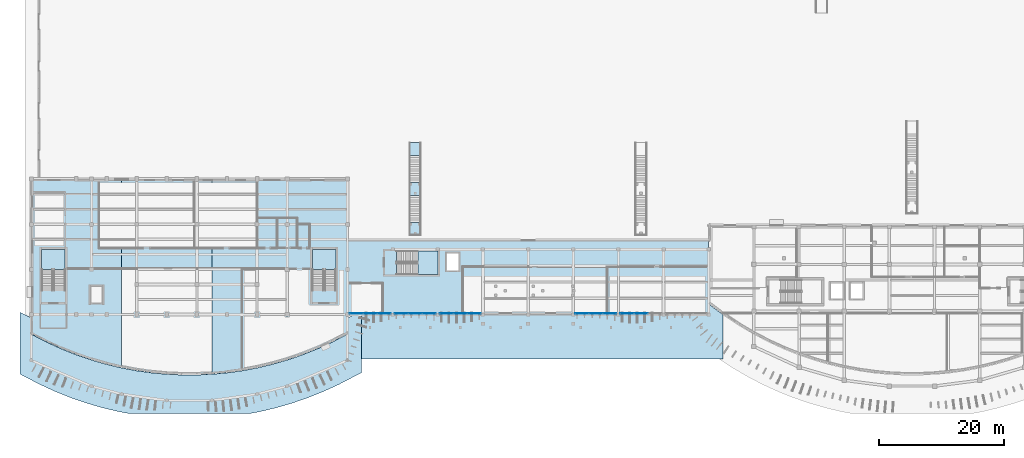
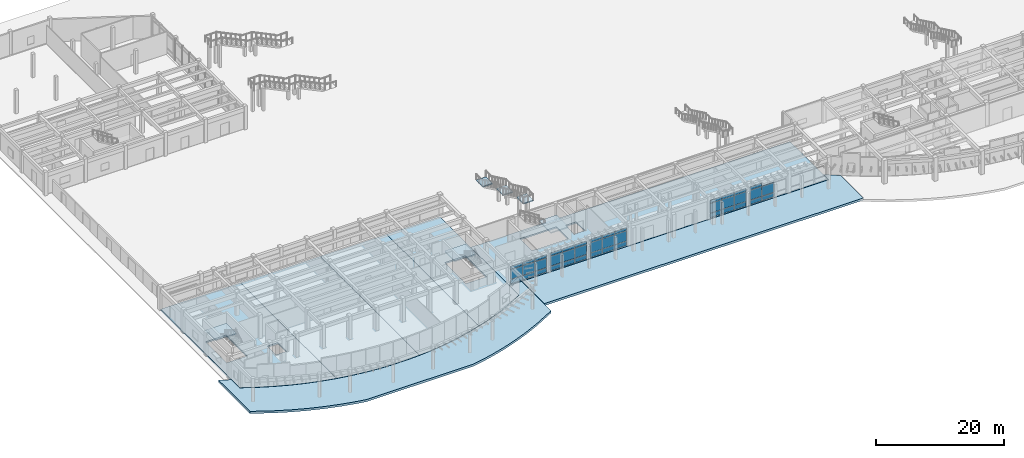
# One storey, part 22 of 58: 41 plates, 13 slabs, 9 elements without a shape of their own.
"""IFC4 building model written with IfcOpenShell, lengths in metres."""

from ifc_helpers import new_model, si_unit, direction, frame, origin, origin_2d, place, context, subcontext, project, spatial, polyline, rectangle, outline, extrude, material, layer, layer_set, type_object, element, aggregate, save


model = new_model("IFC4")

# Units and contexts
model_context = context("Model", 3, precision=1e-05, world=origin(), true_north=direction((0.0, 1.0)))
body_context = subcontext(model_context, "Body", "Model", "MODEL_VIEW")
ifc_project = project(units=[si_unit("LENGTHUNIT", "METRE"), si_unit("AREAUNIT", "SQUARE_METRE"), si_unit("VOLUMEUNIT", "CUBIC_METRE"), si_unit("PLANEANGLEUNIT", "RADIAN"), si_unit("MASSUNIT", "GRAM", prefix="KILO")], contexts=[model_context])

# Site, building, storey
site_placement = place(None, origin())
site = spatial("IfcSite", under=ifc_project, at=site_placement, CompositionType="ELEMENT")
building_placement = place(site_placement, origin())
building = spatial("IfcBuilding", under=site, at=building_placement, Name="Brisavento Harbour Community Centre", CompositionType="ELEMENT")
storey_placement = place(building_placement, origin())
storey = spatial("IfcBuildingStorey", under=building, at=storey_placement, Name="L00", CompositionType="ELEMENT", Elevation=0.0)

# Curtain wall, plates
ifc_material_1 = material(Name="Marine-anodised aluminium AW-6063-T6", Category="aluminium")
ifc_layer_1 = layer(ifc_material_1, 0.179931640625, Name="Marine-anodised aluminium AW-6063-T6")
ifc_layer_set_1 = layer_set([ifc_layer_1], Name="Marine-anodised aluminium AW-6063-T6")
curtain_wall_type_1 = type_object("IfcCurtainWallType", Name="CW-SYS-06", PredefinedType="USERDEFINED", material=ifc_layer_set_1)
curtain_wall_1_placement = place(storey_placement, origin())
curtain_wall_1 = element("IfcCurtainWall", 1, at=curtain_wall_1_placement, inside=storey, type_object=curtain_wall_type_1, Name="L00 V2 unitised curtain wall 006", ObjectType="UNITISED CURTAIN WALL", PredefinedType="USERDEFINED")
ifc_material_2 = material(Name="Solar-control laminated low-E glass", Category="glass")
ifc_layer_2 = layer(ifc_material_2, 0.02392578125, Name="Solar-control laminated low-E glass")
ifc_layer_set_2 = layer_set([ifc_layer_2], Name="Solar-control laminated low-E glass")
plate_type_1 = type_object("IfcPlateType", Name="CWP-GLZ-1", PredefinedType="CURTAIN_PANEL", material=ifc_layer_set_2)
plate_1_placement = place(storey_placement, frame((56.217529296875, 14.580078125, 0.070068359375), z_axis=(0.0, 0.0, 1.0), x_axis=(-1.0, 0.0, 0.0)))
plate_1 = element("IfcPlate", 2, at=plate_1_placement, type_object=plate_type_1, Name="CW-06 panel 1.1", PredefinedType="CURTAIN_PANEL", context=body_context, shape_type="SweptSolid", body=[
    extrude(rectangle(XDim=2.10498046875, YDim=0.02392578125, at=origin_2d()), origin(), (0.0, 0.0, 1.0), 0.794921875),
])
plate_2_placement = place(storey_placement, frame((56.217529296875, 14.580078125, 0.93505859375), z_axis=(0.0, 0.0, 1.0), x_axis=(-1.0, 0.0, 0.0)))
plate_2 = element("IfcPlate", 3, at=plate_2_placement, type_object=plate_type_1, Name="CW-06 panel 1.2", PredefinedType="CURTAIN_PANEL", context=body_context, shape_type="SweptSolid", body=[
    extrude(rectangle(XDim=2.10498046875, YDim=0.02392578125, at=origin_2d()), origin(), (0.0, 0.0, 1.0), 1.820068359375),
])
plate_3_placement = place(storey_placement, frame((56.217529296875, 14.580078125, 2.824951171875), z_axis=(0.0, 0.0, 1.0), x_axis=(-1.0, 0.0, 0.0)))
plate_3 = element("IfcPlate", 4, at=plate_3_placement, type_object=plate_type_1, Name="CW-06 panel 1.3", PredefinedType="CURTAIN_PANEL", context=body_context, shape_type="SweptSolid", body=[
    extrude(rectangle(XDim=2.10498046875, YDim=0.02392578125, at=origin_2d()), origin(), (0.0, 0.0, 1.0), 0.544921875),
])
plate_4_placement = place(storey_placement, frame((54.02490234375, 14.580078125, 0.070068359375), z_axis=(0.0, 0.0, 1.0), x_axis=(-1.0, 0.0, 0.0)))
plate_4 = element("IfcPlate", 5, at=plate_4_placement, type_object=plate_type_1, Name="CW-06 panel 2.1", PredefinedType="CURTAIN_PANEL", context=body_context, shape_type="SweptSolid", body=[
    extrude(rectangle(XDim=2.139892578125, YDim=0.02392578125, at=origin_2d()), origin(), (0.0, 0.0, 1.0), 0.794921875),
])
plate_5_placement = place(storey_placement, frame((54.02490234375, 14.580078125, 0.93505859375), z_axis=(0.0, 0.0, 1.0), x_axis=(-1.0, 0.0, 0.0)))
plate_5 = element("IfcPlate", 6, at=plate_5_placement, type_object=plate_type_1, Name="CW-06 panel 2.2", PredefinedType="CURTAIN_PANEL", context=body_context, shape_type="SweptSolid", body=[
    extrude(rectangle(XDim=2.139892578125, YDim=0.02392578125, at=origin_2d()), origin(), (0.0, 0.0, 1.0), 1.820068359375),
])
plate_6_placement = place(storey_placement, frame((54.02490234375, 14.580078125, 2.824951171875), z_axis=(0.0, 0.0, 1.0), x_axis=(-1.0, 0.0, 0.0)))
plate_6 = element("IfcPlate", 7, at=plate_6_placement, type_object=plate_type_1, Name="CW-06 panel 2.3", PredefinedType="CURTAIN_PANEL", context=body_context, shape_type="SweptSolid", body=[
    extrude(rectangle(XDim=2.139892578125, YDim=0.02392578125, at=origin_2d()), origin(), (0.0, 0.0, 1.0), 0.544921875),
])
plate_7_placement = place(storey_placement, frame((51.83251953125, 14.580078125, 0.070068359375), z_axis=(0.0, 0.0, 1.0), x_axis=(-1.0, 0.0, 0.0)))
plate_7 = element("IfcPlate", 8, at=plate_7_placement, type_object=plate_type_1, Name="CW-06 panel 3.1", PredefinedType="CURTAIN_PANEL", context=body_context, shape_type="SweptSolid", body=[
    extrude(rectangle(XDim=2.10498046875, YDim=0.02392578125, at=origin_2d()), origin(), (0.0, 0.0, 1.0), 0.794921875),
])
plate_8_placement = place(storey_placement, frame((51.83251953125, 14.580078125, 0.93505859375), z_axis=(0.0, 0.0, 1.0), x_axis=(-1.0, 0.0, 0.0)))
plate_8 = element("IfcPlate", 9, at=plate_8_placement, type_object=plate_type_1, Name="CW-06 panel 3.2", PredefinedType="CURTAIN_PANEL", context=body_context, shape_type="SweptSolid", body=[
    extrude(rectangle(XDim=2.10498046875, YDim=0.02392578125, at=origin_2d()), origin(), (0.0, 0.0, 1.0), 1.820068359375),
])
plate_9_placement = place(storey_placement, frame((51.83251953125, 14.580078125, 2.824951171875), z_axis=(0.0, 0.0, 1.0), x_axis=(-1.0, 0.0, 0.0)))
plate_9 = element("IfcPlate", 10, at=plate_9_placement, type_object=plate_type_1, Name="CW-06 panel 3.3", PredefinedType="CURTAIN_PANEL", context=body_context, shape_type="SweptSolid", body=[
    extrude(rectangle(XDim=2.10498046875, YDim=0.02392578125, at=origin_2d()), origin(), (0.0, 0.0, 1.0), 0.544921875),
])
aggregate(curtain_wall_1, [plate_1, plate_2, plate_3, plate_4, plate_5, plate_6, plate_7, plate_8, plate_9])

ifc_layer_3 = layer(ifc_material_1, 0.179931640625, Name="Marine-anodised aluminium AW-6063-T6")
ifc_layer_set_3 = layer_set([ifc_layer_3], Name="Marine-anodised aluminium AW-6063-T6")
curtain_wall_type_2 = type_object("IfcCurtainWallType", Name="CW-SYS-02", PredefinedType="USERDEFINED", material=ifc_layer_set_3)
curtain_wall_2_placement = place(storey_placement, origin())
curtain_wall_2 = element("IfcCurtainWall", 11, at=curtain_wall_2_placement, inside=storey, type_object=curtain_wall_type_2, Name="L00 V2 unitised curtain wall 002", ObjectType="UNITISED CURTAIN WALL", PredefinedType="USERDEFINED")
ifc_layer_4 = layer(ifc_material_2, 0.028076171875, Name="Solar-control laminated low-E glass")
ifc_layer_set_4 = layer_set([ifc_layer_4], Name="Solar-control laminated low-E glass")
plate_type_2 = type_object("IfcPlateType", Name="CWP-GLZ-2", PredefinedType="CURTAIN_PANEL", material=ifc_layer_set_4)
plate_10_placement = place(storey_placement, frame((97.199951171875, 14.580078125, 0.070068359375), z_axis=(0.0, 0.0, 1.0), x_axis=(-1.0, 0.0, 0.0)))
plate_10 = element("IfcPlate", 12, at=plate_10_placement, type_object=plate_type_2, Name="CW-02 panel 2.1", PredefinedType="CURTAIN_PANEL", context=body_context, shape_type="SweptSolid", body=[
    extrude(rectangle(XDim=2.15673828125, YDim=0.028076171875, at=origin_2d()), origin(), (0.0, 0.0, 1.0), 0.794921875),
])
plate_11_placement = place(storey_placement, frame((97.199951171875, 14.580078125, 0.93505859375), z_axis=(0.0, 0.0, 1.0), x_axis=(-1.0, 0.0, 0.0)))
plate_11 = element("IfcPlate", 13, at=plate_11_placement, type_object=plate_type_2, Name="CW-02 panel 2.2", PredefinedType="CURTAIN_PANEL", context=body_context, shape_type="SweptSolid", body=[
    extrude(rectangle(XDim=2.15673828125, YDim=0.028076171875, at=origin_2d()), origin(), (0.0, 0.0, 1.0), 1.8701171875),
])
plate_12_placement = place(storey_placement, frame((94.99072265625, 14.580078125, 0.070068359375), z_axis=(0.0, 0.0, 1.0), x_axis=(-1.0, 0.0, 0.0)))
plate_12 = element("IfcPlate", 14, at=plate_12_placement, type_object=plate_type_2, Name="CW-02 panel 3.1", PredefinedType="CURTAIN_PANEL", context=body_context, shape_type="SweptSolid", body=[
    extrude(rectangle(XDim=2.12158203125, YDim=0.028076171875, at=origin_2d()), origin(), (0.0, 0.0, 1.0), 0.794921875),
])
plate_13_placement = place(storey_placement, frame((94.99072265625, 14.580078125, 0.93505859375), z_axis=(0.0, 0.0, 1.0), x_axis=(-1.0, 0.0, 0.0)))
plate_13 = element("IfcPlate", 15, at=plate_13_placement, type_object=plate_type_2, Name="CW-02 panel 3.2", PredefinedType="CURTAIN_PANEL", context=body_context, shape_type="SweptSolid", body=[
    extrude(rectangle(XDim=2.12158203125, YDim=0.028076171875, at=origin_2d()), origin(), (0.0, 0.0, 1.0), 1.8701171875),
])
plate_14_placement = place(storey_placement, frame((94.99072265625, 14.580078125, 2.875), z_axis=(0.0, 0.0, 1.0), x_axis=(-1.0, 0.0, 0.0)))
plate_14 = element("IfcPlate", 16, at=plate_14_placement, type_object=plate_type_2, Name="CW-02 panel 3.3", PredefinedType="CURTAIN_PANEL", context=body_context, shape_type="SweptSolid", body=[
    extrude(rectangle(XDim=2.12158203125, YDim=0.028076171875, at=origin_2d()), origin(), (0.0, 0.0, 1.0), 0.544921875),
])
aggregate(curtain_wall_2, [plate_10, plate_11, plate_12, plate_13, plate_14])

ifc_layer_5 = layer(ifc_material_1, 0.179931640625, Name="Marine-anodised aluminium AW-6063-T6")
ifc_layer_set_5 = layer_set([ifc_layer_5], Name="Marine-anodised aluminium AW-6063-T6")
curtain_wall_type_3 = type_object("IfcCurtainWallType", Name="CW-SYS-03", PredefinedType="USERDEFINED", material=ifc_layer_set_5)
curtain_wall_3_placement = place(storey_placement, origin())
curtain_wall_3 = element("IfcCurtainWall", 17, at=curtain_wall_3_placement, inside=storey, type_object=curtain_wall_type_3, Name="L00 V2 unitised curtain wall 003", ObjectType="UNITISED CURTAIN WALL", PredefinedType="USERDEFINED")
ifc_layer_6 = layer(ifc_material_2, 0.031982421875, Name="Solar-control laminated low-E glass")
ifc_layer_set_6 = layer_set([ifc_layer_6], Name="Solar-control laminated low-E glass")
plate_type_3 = type_object("IfcPlateType", Name="CWP-GLZ-3", PredefinedType="CURTAIN_PANEL", material=ifc_layer_set_6)
plate_15_placement = place(storey_placement, frame((92.2080078125, 14.580078125, 0.074951171875), z_axis=(0.0, 0.0, 1.0), x_axis=(-1.0, 0.0, 0.0)))
plate_15 = element("IfcPlate", 18, at=plate_15_placement, type_object=plate_type_3, Name="CW-03 panel 1.1", PredefinedType="CURTAIN_PANEL", context=body_context, shape_type="SweptSolid", body=[
    extrude(rectangle(XDim=2.1142578125, YDim=0.031982421875, at=origin_2d()), origin(), (0.0, 0.0, 1.0), 0.78759765625),
])
plate_16_placement = place(storey_placement, frame((92.2080078125, 14.580078125, 0.9375), z_axis=(0.0, 0.0, 1.0), x_axis=(-1.0, 0.0, 0.0)))
plate_16 = element("IfcPlate", 19, at=plate_16_placement, type_object=plate_type_3, Name="CW-03 panel 1.2", PredefinedType="CURTAIN_PANEL", context=body_context, shape_type="SweptSolid", body=[
    extrude(rectangle(XDim=2.1142578125, YDim=0.031982421875, at=origin_2d()), origin(), (0.0, 0.0, 1.0), 1.81494140625),
])
plate_17_placement = place(storey_placement, frame((92.2080078125, 14.580078125, 2.827392578125), z_axis=(0.0, 0.0, 1.0), x_axis=(-1.0, 0.0, 0.0)))
plate_17 = element("IfcPlate", 20, at=plate_17_placement, type_object=plate_type_3, Name="CW-03 panel 1.3", PredefinedType="CURTAIN_PANEL", context=body_context, shape_type="SweptSolid", body=[
    extrude(rectangle(XDim=2.1142578125, YDim=0.031982421875, at=origin_2d()), origin(), (0.0, 0.0, 1.0), 0.53759765625),
])
plate_18_placement = place(storey_placement, frame((90.0, 14.580078125, 0.074951171875), z_axis=(0.0, 0.0, 1.0), x_axis=(-1.0, 0.0, 0.0)))
plate_18 = element("IfcPlate", 21, at=plate_18_placement, type_object=plate_type_3, Name="CW-03 panel 2.1", PredefinedType="CURTAIN_PANEL", context=body_context, shape_type="SweptSolid", body=[
    extrude(rectangle(XDim=2.151611328125, YDim=0.031982421875, at=origin_2d()), origin(), (0.0, 0.0, 1.0), 0.78759765625),
])
plate_19_placement = place(storey_placement, frame((90.0, 14.580078125, 0.9375), z_axis=(0.0, 0.0, 1.0), x_axis=(-1.0, 0.0, 0.0)))
plate_19 = element("IfcPlate", 22, at=plate_19_placement, type_object=plate_type_3, Name="CW-03 panel 2.2", PredefinedType="CURTAIN_PANEL", context=body_context, shape_type="SweptSolid", body=[
    extrude(rectangle(XDim=2.151611328125, YDim=0.031982421875, at=origin_2d()), origin(), (0.0, 0.0, 1.0), 1.81494140625),
])
plate_20_placement = place(storey_placement, frame((90.0, 14.580078125, 2.827392578125), z_axis=(0.0, 0.0, 1.0), x_axis=(-1.0, 0.0, 0.0)))
plate_20 = element("IfcPlate", 23, at=plate_20_placement, type_object=plate_type_3, Name="CW-03 panel 2.3", PredefinedType="CURTAIN_PANEL", context=body_context, shape_type="SweptSolid", body=[
    extrude(rectangle(XDim=2.151611328125, YDim=0.031982421875, at=origin_2d()), origin(), (0.0, 0.0, 1.0), 0.53759765625),
])
plate_21_placement = place(storey_placement, frame((87.7919921875, 14.580078125, 0.074951171875), z_axis=(0.0, 0.0, 1.0), x_axis=(-1.0, 0.0, 0.0)))
plate_21 = element("IfcPlate", 24, at=plate_21_placement, type_object=plate_type_3, Name="CW-03 panel 3.1", PredefinedType="CURTAIN_PANEL", context=body_context, shape_type="SweptSolid", body=[
    extrude(rectangle(XDim=2.1142578125, YDim=0.031982421875, at=origin_2d()), origin(), (0.0, 0.0, 1.0), 0.78759765625),
])
plate_22_placement = place(storey_placement, frame((87.7919921875, 14.580078125, 0.9375), z_axis=(0.0, 0.0, 1.0), x_axis=(-1.0, 0.0, 0.0)))
plate_22 = element("IfcPlate", 25, at=plate_22_placement, type_object=plate_type_3, Name="CW-03 panel 3.2", PredefinedType="CURTAIN_PANEL", context=body_context, shape_type="SweptSolid", body=[
    extrude(rectangle(XDim=2.1142578125, YDim=0.031982421875, at=origin_2d()), origin(), (0.0, 0.0, 1.0), 1.81494140625),
])
plate_23_placement = place(storey_placement, frame((87.7919921875, 14.580078125, 2.827392578125), z_axis=(0.0, 0.0, 1.0), x_axis=(-1.0, 0.0, 0.0)))
plate_23 = element("IfcPlate", 26, at=plate_23_placement, type_object=plate_type_3, Name="CW-03 panel 3.3", PredefinedType="CURTAIN_PANEL", context=body_context, shape_type="SweptSolid", body=[
    extrude(rectangle(XDim=2.1142578125, YDim=0.031982421875, at=origin_2d()), origin(), (0.0, 0.0, 1.0), 0.53759765625),
])
aggregate(curtain_wall_3, [plate_15, plate_16, plate_17, plate_18, plate_19, plate_20, plate_21, plate_22, plate_23])

ifc_layer_7 = layer(ifc_material_1, 0.179931640625, Name="Marine-anodised aluminium AW-6063-T6")
ifc_layer_set_7 = layer_set([ifc_layer_7], Name="Marine-anodised aluminium AW-6063-T6")
curtain_wall_type_4 = type_object("IfcCurtainWallType", Name="CW-SYS-04", PredefinedType="USERDEFINED", material=ifc_layer_set_7)
curtain_wall_4_placement = place(storey_placement, origin())
curtain_wall_4 = element("IfcCurtainWall", 27, at=curtain_wall_4_placement, inside=storey, type_object=curtain_wall_type_4, Name="L00 V2 unitised curtain wall 004", ObjectType="UNITISED CURTAIN WALL", PredefinedType="USERDEFINED")
ifc_layer_8 = layer(ifc_material_2, 0.035888671875, Name="Solar-control laminated low-E glass")
ifc_layer_set_8 = layer_set([ifc_layer_8], Name="Solar-control laminated low-E glass")
plate_type_4 = type_object("IfcPlateType", Name="CWP-GLZ-4", PredefinedType="CURTAIN_PANEL", material=ifc_layer_set_8)
plate_24_placement = place(storey_placement, frame((70.606689453125, 14.580078125, 0.080078125), z_axis=(0.0, 0.0, 1.0), x_axis=(-1.0, 0.0, 0.0)))
plate_24 = element("IfcPlate", 28, at=plate_24_placement, type_object=plate_type_4, Name="CW-04 panel 1.1", PredefinedType="CURTAIN_PANEL", context=body_context, shape_type="SweptSolid", body=[
    extrude(rectangle(XDim=2.106689453125, YDim=0.035888671875, at=origin_2d()), origin(), (0.0, 0.0, 1.0), 0.780029296875),
])
plate_25_placement = place(storey_placement, frame((70.606689453125, 14.580078125, 0.93994140625), z_axis=(0.0, 0.0, 1.0), x_axis=(-1.0, 0.0, 0.0)))
plate_25 = element("IfcPlate", 29, at=plate_25_placement, type_object=plate_type_4, Name="CW-04 panel 1.2", PredefinedType="CURTAIN_PANEL", context=body_context, shape_type="SweptSolid", body=[
    extrude(rectangle(XDim=2.106689453125, YDim=0.035888671875, at=origin_2d()), origin(), (0.0, 0.0, 1.0), 1.909912109375),
])
plate_26_placement = place(storey_placement, frame((70.606689453125, 14.580078125, 2.93017578125), z_axis=(0.0, 0.0, 1.0), x_axis=(-1.0, 0.0, 0.0)))
plate_26 = element("IfcPlate", 30, at=plate_26_placement, type_object=plate_type_4, Name="CW-04 panel 1.3", PredefinedType="CURTAIN_PANEL", context=body_context, shape_type="SweptSolid", body=[
    extrude(rectangle(XDim=2.106689453125, YDim=0.035888671875, at=origin_2d()), origin(), (0.0, 0.0, 1.0), 0.530029296875),
])
plate_27_placement = place(storey_placement, frame((68.39990234375, 14.580078125, 0.080078125), z_axis=(0.0, 0.0, 1.0), x_axis=(-1.0, 0.0, 0.0)))
plate_27 = element("IfcPlate", 31, at=plate_27_placement, type_object=plate_type_4, Name="CW-04 panel 2.1", PredefinedType="CURTAIN_PANEL", context=body_context, shape_type="SweptSolid", body=[
    extrude(rectangle(XDim=2.146728515625, YDim=0.035888671875, at=origin_2d()), origin(), (0.0, 0.0, 1.0), 0.780029296875),
])
plate_28_placement = place(storey_placement, frame((68.39990234375, 14.580078125, 0.93994140625), z_axis=(0.0, 0.0, 1.0), x_axis=(-1.0, 0.0, 0.0)))
plate_28 = element("IfcPlate", 32, at=plate_28_placement, type_object=plate_type_4, Name="CW-04 panel 2.2", PredefinedType="CURTAIN_PANEL", context=body_context, shape_type="SweptSolid", body=[
    extrude(rectangle(XDim=2.146728515625, YDim=0.035888671875, at=origin_2d()), origin(), (0.0, 0.0, 1.0), 1.909912109375),
])
plate_29_placement = place(storey_placement, frame((68.39990234375, 14.580078125, 2.93017578125), z_axis=(0.0, 0.0, 1.0), x_axis=(-1.0, 0.0, 0.0)))
plate_29 = element("IfcPlate", 33, at=plate_29_placement, type_object=plate_type_4, Name="CW-04 panel 2.3", PredefinedType="CURTAIN_PANEL", context=body_context, shape_type="SweptSolid", body=[
    extrude(rectangle(XDim=2.146728515625, YDim=0.035888671875, at=origin_2d()), origin(), (0.0, 0.0, 1.0), 0.530029296875),
])
plate_30_placement = place(storey_placement, frame((66.193359375, 14.580078125, 0.080078125), z_axis=(0.0, 0.0, 1.0), x_axis=(-1.0, 0.0, 0.0)))
plate_30 = element("IfcPlate", 34, at=plate_30_placement, type_object=plate_type_4, Name="CW-04 panel 3.1", PredefinedType="CURTAIN_PANEL", context=body_context, shape_type="SweptSolid", body=[
    extrude(rectangle(XDim=2.106689453125, YDim=0.035888671875, at=origin_2d()), origin(), (0.0, 0.0, 1.0), 0.780029296875),
])
plate_31_placement = place(storey_placement, frame((66.193359375, 14.580078125, 0.93994140625), z_axis=(0.0, 0.0, 1.0), x_axis=(-1.0, 0.0, 0.0)))
plate_31 = element("IfcPlate", 35, at=plate_31_placement, type_object=plate_type_4, Name="CW-04 panel 3.2", PredefinedType="CURTAIN_PANEL", context=body_context, shape_type="SweptSolid", body=[
    extrude(rectangle(XDim=2.106689453125, YDim=0.035888671875, at=origin_2d()), origin(), (0.0, 0.0, 1.0), 1.909912109375),
])
plate_32_placement = place(storey_placement, frame((66.193359375, 14.580078125, 2.93017578125), z_axis=(0.0, 0.0, 1.0), x_axis=(-1.0, 0.0, 0.0)))
plate_32 = element("IfcPlate", 36, at=plate_32_placement, type_object=plate_type_4, Name="CW-04 panel 3.3", PredefinedType="CURTAIN_PANEL", context=body_context, shape_type="SweptSolid", body=[
    extrude(rectangle(XDim=2.106689453125, YDim=0.035888671875, at=origin_2d()), origin(), (0.0, 0.0, 1.0), 0.530029296875),
])
aggregate(curtain_wall_4, [plate_24, plate_25, plate_26, plate_27, plate_28, plate_29, plate_30, plate_31, plate_32])

ifc_layer_9 = layer(ifc_material_1, 0.179931640625, Name="Marine-anodised aluminium AW-6063-T6")
ifc_layer_set_9 = layer_set([ifc_layer_9], Name="Marine-anodised aluminium AW-6063-T6")
curtain_wall_type_5 = type_object("IfcCurtainWallType", Name="CW-SYS-05", PredefinedType="USERDEFINED", material=ifc_layer_set_9)
curtain_wall_5_placement = place(storey_placement, origin())
curtain_wall_5 = element("IfcCurtainWall", 37, at=curtain_wall_5_placement, inside=storey, type_object=curtain_wall_type_5, Name="L00 V2 unitised curtain wall 005", ObjectType="UNITISED CURTAIN WALL", PredefinedType="USERDEFINED")
ifc_layer_10 = layer(ifc_material_2, 0.0400390625, Name="Solar-control laminated low-E glass")
ifc_layer_set_10 = layer_set([ifc_layer_10], Name="Solar-control laminated low-E glass")
plate_type_5 = type_object("IfcPlateType", Name="CWP-GLZ-5", PredefinedType="CURTAIN_PANEL", material=ifc_layer_set_10)
plate_33_placement = place(storey_placement, frame((63.410400390625, 14.580078125, 0.06494140625), z_axis=(0.0, 0.0, 1.0), x_axis=(-1.0, 0.0, 0.0)))
plate_33 = element("IfcPlate", 38, at=plate_33_placement, type_object=plate_type_5, Name="CW-05 panel 1.1", PredefinedType="CURTAIN_PANEL", context=body_context, shape_type="SweptSolid", body=[
    extrude(rectangle(XDim=2.129150390625, YDim=0.0400390625, at=origin_2d()), origin(), (0.0, 0.0, 1.0), 0.802490234375),
])
plate_34_placement = place(storey_placement, frame((63.410400390625, 14.580078125, 0.9326171875), z_axis=(0.0, 0.0, 1.0), x_axis=(-1.0, 0.0, 0.0)))
plate_34 = element("IfcPlate", 39, at=plate_34_placement, type_object=plate_type_5, Name="CW-05 panel 1.2", PredefinedType="CURTAIN_PANEL", context=body_context, shape_type="SweptSolid", body=[
    extrude(rectangle(XDim=2.129150390625, YDim=0.0400390625, at=origin_2d()), origin(), (0.0, 0.0, 1.0), 1.875),
])
plate_35_placement = place(storey_placement, frame((63.410400390625, 14.580078125, 2.87255859375), z_axis=(0.0, 0.0, 1.0), x_axis=(-1.0, 0.0, 0.0)))
plate_35 = element("IfcPlate", 40, at=plate_35_placement, type_object=plate_type_5, Name="CW-05 panel 1.3", PredefinedType="CURTAIN_PANEL", context=body_context, shape_type="SweptSolid", body=[
    extrude(rectangle(XDim=2.129150390625, YDim=0.0400390625, at=origin_2d()), origin(), (0.0, 0.0, 1.0), 0.552490234375),
])
plate_36_placement = place(storey_placement, frame((61.199951171875, 14.580078125, 0.06494140625), z_axis=(0.0, 0.0, 1.0), x_axis=(-1.0, 0.0, 0.0)))
plate_36 = element("IfcPlate", 41, at=plate_36_placement, type_object=plate_type_5, Name="CW-05 panel 2.1", PredefinedType="CURTAIN_PANEL", context=body_context, shape_type="SweptSolid", body=[
    extrude(rectangle(XDim=2.16162109375, YDim=0.0400390625, at=origin_2d()), origin(), (0.0, 0.0, 1.0), 0.802490234375),
])
plate_37_placement = place(storey_placement, frame((61.199951171875, 14.580078125, 0.9326171875), z_axis=(0.0, 0.0, 1.0), x_axis=(-1.0, 0.0, 0.0)))
plate_37 = element("IfcPlate", 42, at=plate_37_placement, type_object=plate_type_5, Name="CW-05 panel 2.2", PredefinedType="CURTAIN_PANEL", context=body_context, shape_type="SweptSolid", body=[
    extrude(rectangle(XDim=2.16162109375, YDim=0.0400390625, at=origin_2d()), origin(), (0.0, 0.0, 1.0), 1.875),
])
plate_38_placement = place(storey_placement, frame((61.199951171875, 14.580078125, 2.87255859375), z_axis=(0.0, 0.0, 1.0), x_axis=(-1.0, 0.0, 0.0)))
plate_38 = element("IfcPlate", 43, at=plate_38_placement, type_object=plate_type_5, Name="CW-05 panel 2.3", PredefinedType="CURTAIN_PANEL", context=body_context, shape_type="SweptSolid", body=[
    extrude(rectangle(XDim=2.16162109375, YDim=0.0400390625, at=origin_2d()), origin(), (0.0, 0.0, 1.0), 0.552490234375),
])
plate_39_placement = place(storey_placement, frame((58.989501953125, 14.580078125, 0.06494140625), z_axis=(0.0, 0.0, 1.0), x_axis=(-1.0, 0.0, 0.0)))
plate_39 = element("IfcPlate", 44, at=plate_39_placement, type_object=plate_type_5, Name="CW-05 panel 3.1", PredefinedType="CURTAIN_PANEL", context=body_context, shape_type="SweptSolid", body=[
    extrude(rectangle(XDim=2.129150390625, YDim=0.0400390625, at=origin_2d()), origin(), (0.0, 0.0, 1.0), 0.802490234375),
])
plate_40_placement = place(storey_placement, frame((58.989501953125, 14.580078125, 0.9326171875), z_axis=(0.0, 0.0, 1.0), x_axis=(-1.0, 0.0, 0.0)))
plate_40 = element("IfcPlate", 45, at=plate_40_placement, type_object=plate_type_5, Name="CW-05 panel 3.2", PredefinedType="CURTAIN_PANEL", context=body_context, shape_type="SweptSolid", body=[
    extrude(rectangle(XDim=2.129150390625, YDim=0.0400390625, at=origin_2d()), origin(), (0.0, 0.0, 1.0), 1.875),
])
plate_41_placement = place(storey_placement, frame((58.989501953125, 14.580078125, 2.87255859375), z_axis=(0.0, 0.0, 1.0), x_axis=(-1.0, 0.0, 0.0)))
plate_41 = element("IfcPlate", 46, at=plate_41_placement, type_object=plate_type_5, Name="CW-05 panel 3.3", PredefinedType="CURTAIN_PANEL", context=body_context, shape_type="SweptSolid", body=[
    extrude(rectangle(XDim=2.129150390625, YDim=0.0400390625, at=origin_2d()), origin(), (0.0, 0.0, 1.0), 0.552490234375),
])
aggregate(curtain_wall_5, [plate_33, plate_34, plate_35, plate_36, plate_37, plate_38, plate_39, plate_40, plate_41])

# Slabs
ifc_material_3 = material(Name="Concrete C35/45", Category="concrete")
ifc_layer_11 = layer(ifc_material_3, 0.419921875, Name="Concrete C35/45")
ifc_layer_set_11 = layer_set([ifc_layer_11], Name="Concrete C35/45")
slab_type_1 = type_object("IfcSlabType", Name="SLB-COL-210", PredefinedType="FLOOR", material=ifc_layer_set_11)
slab_1_placement = place(storey_placement, frame((0.0, 0.0, -0.419921875)))
element("IfcSlab", 47, at=slab_1_placement, inside=storey, type_object=slab_type_1, Name="L00 V1 covered harbour colonnade slab", PredefinedType="FLOOR", context=body_context, shape_type="SweptSolid", body=[
    extrude(outline(polyline([(50.429931640625, 13.866455078125), (50.418701171875, 11.290771484375), (48.012451171875, 10.03759765625), (45.612548828125, 8.94140625), (43.209716796875, 7.986328125), (40.809814453125, 7.166748046875), (38.408203125, 6.474609375), (36.0068359375, 5.90478515625), (33.60546875, 5.453369140625), (31.2041015625, 5.11767578125), (28.802734375, 4.89501953125), (26.4013671875, 4.78369140625), (24.0, 4.78369140625), (21.59716796875, 4.89501953125), (19.19580078125, 5.11767578125), (16.79443359375, 5.453369140625), (14.39453125, 5.904296875), (11.99169921875, 6.474609375), (9.591796875, 7.16650390625), (7.18896484375, 7.98681640625), (4.78759765625, 8.94140625), (2.387451171875, 10.03759765625), (-0.018798828125, 11.290771484375), (-0.030029296875, 13.866455078125), (-1.800048828125, 14.78759765625), (-1.800048828125, 4.91455078125), (1.41259765625, 3.242431640625), (3.91650390625, 2.0986328125), (6.42041015625, 1.103515625), (8.92431640625, 0.248291015625), (11.428466796875, -0.473388671875), (13.932373046875, -1.067626953125), (15.594970703125, -1.3798828125), (34.804931640625, -1.3798828125), (36.4677734375, -1.067626953125), (38.9716796875, -0.473388671875), (41.4755859375, 0.248291015625), (43.9794921875, 1.103515625), (46.4833984375, 2.0986328125), (48.987548828125, 3.242431640625), (52.64990234375, 5.148681640625), (52.64990234375, 14.3701171875), (51.397705078125, 14.3701171875), (50.429931640625, 13.866455078125)])), origin(), (0.0, 0.0, 1.0), 0.419921875),
])
slab_2_placement = place(storey_placement, frame((0.0, 0.0, -0.419921875)))
element("IfcSlab", 48, at=slab_2_placement, inside=storey, type_object=slab_type_1, Name="L00 V2 covered harbour colonnade slab", PredefinedType="FLOOR", context=body_context, shape_type="SweptSolid", body=[
    extrude(outline(polyline([(110.25, 7.35009765625), (110.25, 14.401611328125), (108.030029296875, 16.067626953125), (108.0, 14.3701171875), (52.679931640625, 14.3701171875), (52.679931640625, 7.35009765625), (110.25, 7.35009765625)])), origin(), (0.0, 0.0, 1.0), 0.419921875),
])
ifc_layer_12 = layer(ifc_material_3, 0.280029296875, Name="Concrete C35/45")
ifc_layer_set_12 = layer_set([ifc_layer_12], Name="Concrete C35/45")
slab_type_2 = type_object("IfcSlabType", Name="SLB-FLR-280", PredefinedType="FLOOR", material=ifc_layer_set_12)
slab_3_placement = place(storey_placement, frame((0.0, 0.0, -0.280029296875)))
element("IfcSlab", 49, at=slab_3_placement, inside=storey, type_object=slab_type_2, Name="L00 V1 structural floor slab 006", PredefinedType="FLOOR", context=body_context, shape_type="SweptSolid", body=[
    extrude(outline(polyline([(0.0, 36.0), (0.0, 11.314208984375), (2.39990234375, 10.06494140625), (4.800048828125, 8.968505859375), (7.199951171875, 8.014892578125), (9.60009765625, 7.1953125), (12.0, 6.50341796875), (14.39990234375, 5.933837890625), (14.39990234375, 36.0), (0.0, 36.0)]), holes=[polyline([(11.35009765625, 18.949951171875), (11.35009765625, 16.25), (9.449951171875, 16.25), (9.449951171875, 18.949951171875), (11.35009765625, 18.949951171875)]), polyline([(1.657958984375, 24.7919921875), (5.39208984375, 24.7919921875), (5.39208984375, 18.2080078125), (1.657958984375, 18.2080078125), (1.657958984375, 24.7919921875)])]), origin(), (0.0, 0.0, 1.0), 0.280029296875),
])
slab_4_placement = place(storey_placement, frame((0.0, 0.0, -0.280029296875)))
element("IfcSlab", 50, at=slab_4_placement, inside=storey, type_object=slab_type_2, Name="L00 V1 structural floor slab 007", PredefinedType="FLOOR", context=body_context, shape_type="SweptSolid", body=[
    extrude(outline(polyline([(14.39990234375, 36.0), (14.39990234375, 5.933837890625), (16.800048828125, 5.48291015625), (19.199951171875, 5.147216796875), (21.60009765625, 4.9248046875), (24.0, 4.813720703125), (26.39990234375, 4.813720703125), (28.800048828125, 4.9248046875), (28.800048828125, 36.0), (14.39990234375, 36.0)])), origin(), (0.0, 0.0, 1.0), 0.280029296875),
])
slab_5_placement = place(storey_placement, frame((0.0, 0.0, -0.280029296875)))
element("IfcSlab", 51, at=slab_5_placement, inside=storey, type_object=slab_type_2, Name="L00 V1 structural floor slab 008", PredefinedType="FLOOR", context=body_context, shape_type="SweptSolid", body=[
    extrude(outline(polyline([(28.800048828125, 36.0), (28.800048828125, 4.9248046875), (31.199951171875, 5.147216796875), (33.60009765625, 5.48291015625), (36.0, 5.933837890625), (38.39990234375, 6.50341796875), (40.800048828125, 7.1953125), (40.800048828125, 36.0), (28.800048828125, 36.0)])), origin(), (0.0, 0.0, 1.0), 0.280029296875),
])
slab_6_placement = place(storey_placement, frame((0.0, 0.0, -0.280029296875)))
element("IfcSlab", 52, at=slab_6_placement, inside=storey, type_object=slab_type_2, Name="L00 V1 structural floor slab 009", PredefinedType="FLOOR", context=body_context, shape_type="SweptSolid", body=[
    extrude(outline(polyline([(40.800048828125, 36.0), (40.800048828125, 7.1953125), (43.199951171875, 8.014892578125), (45.60009765625, 8.968505859375), (48.0, 10.06494140625), (50.39990234375, 11.314208984375), (50.39990234375, 36.0), (40.800048828125, 36.0)]), holes=[polyline([(44.80810546875, 24.7919921875), (48.5419921875, 24.7919921875), (48.5419921875, 18.2080078125), (44.80810546875, 18.2080078125), (44.80810546875, 24.7919921875)])]), origin(), (0.0, 0.0, 1.0), 0.280029296875),
])
slab_7_placement = place(storey_placement, frame((0.0, 0.0, -0.280029296875)))
element("IfcSlab", 53, at=slab_7_placement, inside=storey, type_object=slab_type_2, Name="L00 V2 structural floor slab 010", PredefinedType="FLOOR", context=body_context, shape_type="SweptSolid", body=[
    extrude(outline(polyline([(50.39990234375, 14.39990234375), (108.0, 14.39990234375), (108.0, 26.39990234375), (50.39990234375, 26.39990234375), (50.39990234375, 14.39990234375)]), holes=[polyline([(58.2080078125, 20.80810546875), (58.2080078125, 24.5419921875), (64.7919921875, 24.5419921875), (64.7919921875, 20.80810546875), (58.2080078125, 20.80810546875)]), polyline([(66.25, 21.449951171875), (66.25, 24.14990234375), (68.14990234375, 24.14990234375), (68.14990234375, 21.449951171875), (66.25, 21.449951171875)])]), origin(), (0.0, 0.0, 1.0), 0.280029296875),
])

# Stair, slab
stair_type_1 = type_object("IfcStairType", Name="STR-DL-4500", PredefinedType="HALF_TURN_STAIR", material=ifc_material_3)
stair_1_placement = place(storey_placement, origin())
stair_1 = element("IfcStair", 54, at=stair_1_placement, inside=storey, type_object=stair_type_1, Name="L00 ST-01", PredefinedType="HALF_TURN_STAIR")
ifc_layer_13 = layer(ifc_material_3, 0.199951171875, Name="Concrete C35/45")
ifc_layer_set_13 = layer_set([ifc_layer_13], Name="Concrete C35/45")
slab_type_3 = type_object("IfcSlabType", Name="SLB-LND-200", PredefinedType="LANDING", material=ifc_layer_set_13)
slab_8_placement = place(storey_placement, frame((0.0, 0.0, 2.050048828125)))
slab_8 = element("IfcSlab", 55, at=slab_8_placement, type_object=slab_type_3, Name="ST-01 landing 1", PredefinedType="LANDING", context=body_context, shape_type="SweptSolid", body=[
    extrude(outline(polyline([(5.39990234375, 21.6201171875), (5.39990234375, 24.800048828125), (1.64990234375, 24.800048828125), (1.64990234375, 21.6201171875), (5.39990234375, 21.6201171875)])), origin(), (0.0, 0.0, 1.0), 0.199951171875),
])
aggregate(stair_1, [slab_8])

stair_2_placement = place(storey_placement, origin())
stair_2 = element("IfcStair", 56, at=stair_2_placement, inside=storey, type_object=stair_type_1, Name="L00 ST-02", PredefinedType="HALF_TURN_STAIR")
slab_9_placement = place(storey_placement, frame((0.0, 0.0, 2.050048828125)))
slab_9 = element("IfcSlab", 57, at=slab_9_placement, type_object=slab_type_3, Name="ST-02 landing 1", PredefinedType="LANDING", context=body_context, shape_type="SweptSolid", body=[
    extrude(outline(polyline([(48.550048828125, 21.6201171875), (48.550048828125, 24.800048828125), (44.800048828125, 24.800048828125), (44.800048828125, 21.6201171875), (48.550048828125, 21.6201171875)])), origin(), (0.0, 0.0, 1.0), 0.199951171875),
])
aggregate(stair_2, [slab_9])

stair_3_placement = place(storey_placement, origin())
stair_3 = element("IfcStair", 58, at=stair_3_placement, inside=storey, type_object=stair_type_1, Name="L00 ST-03", PredefinedType="HALF_TURN_STAIR")
slab_10_placement = place(storey_placement, frame((0.0, 0.0, 2.050048828125)))
slab_10 = element("IfcSlab", 59, at=slab_10_placement, type_object=slab_type_3, Name="ST-03 landing 1", PredefinedType="LANDING", context=body_context, shape_type="SweptSolid", body=[
    extrude(outline(polyline([(61.6201171875, 20.800048828125), (64.800048828125, 20.800048828125), (64.800048828125, 24.550048828125), (61.6201171875, 24.550048828125), (61.6201171875, 20.800048828125)])), origin(), (0.0, 0.0, 1.0), 0.199951171875),
])
aggregate(stair_3, [slab_10])

# Stair, slabs
ifc_material_4 = material(Name="Precast concrete C40/50", Category="concrete")
stair_type_2 = type_object("IfcStairType", Name="STR-MON-1", PredefinedType="STRAIGHT_RUN_STAIR", material=ifc_material_4)
stair_4_placement = place(storey_placement, origin())
stair_4 = element("IfcStair", 60, at=stair_4_placement, inside=storey, type_object=stair_type_2, Name="L00 monumental courtyard stair MST-01", PredefinedType="STRAIGHT_RUN_STAIR")
slab_11_placement = place(storey_placement, frame((0.0, 0.0, -0.199951171875)))
slab_11 = element("IfcSlab", 61, at=slab_11_placement, type_object=slab_type_3, Name="MST-01 landing 1", PredefinedType="LANDING", context=body_context, shape_type="SweptSolid", body=[
    extrude(outline(polyline([(60.300048828125, 41.85009765625), (60.300048828125, 39.7919921875), (62.10009765625, 39.7919921875), (62.10009765625, 41.85009765625), (60.300048828125, 41.85009765625)])), origin(), (0.0, 0.0, 1.0), 0.199951171875),
])
slab_12_placement = place(storey_placement, frame((0.0, 0.0, 2.050048828125)))
slab_12 = element("IfcSlab", 62, at=slab_12_placement, type_object=slab_type_3, Name="MST-01 landing 2", PredefinedType="LANDING", context=body_context, shape_type="SweptSolid", body=[
    extrude(outline(polyline([(60.300048828125, 35.488037109375), (60.300048828125, 33.422119140625), (62.10009765625, 33.422119140625), (62.10009765625, 35.488037109375), (60.300048828125, 35.488037109375)])), origin(), (0.0, 0.0, 1.0), 0.199951171875),
])
slab_13_placement = place(storey_placement, frame((0.0, 0.0, 4.300048828125)))
slab_13 = element("IfcSlab", 63, at=slab_13_placement, type_object=slab_type_3, Name="MST-01 landing 3", PredefinedType="LANDING", context=body_context, shape_type="SweptSolid", body=[
    extrude(outline(polyline([(60.300048828125, 29.117919921875), (60.300048828125, 27.06005859375), (62.10009765625, 27.06005859375), (62.10009765625, 29.117919921875), (60.300048828125, 29.117919921875)])), origin(), (0.0, 0.0, 1.0), 0.199951171875),
])
aggregate(stair_4, [slab_11, slab_12, slab_13])

save(model, "model.ifc")
